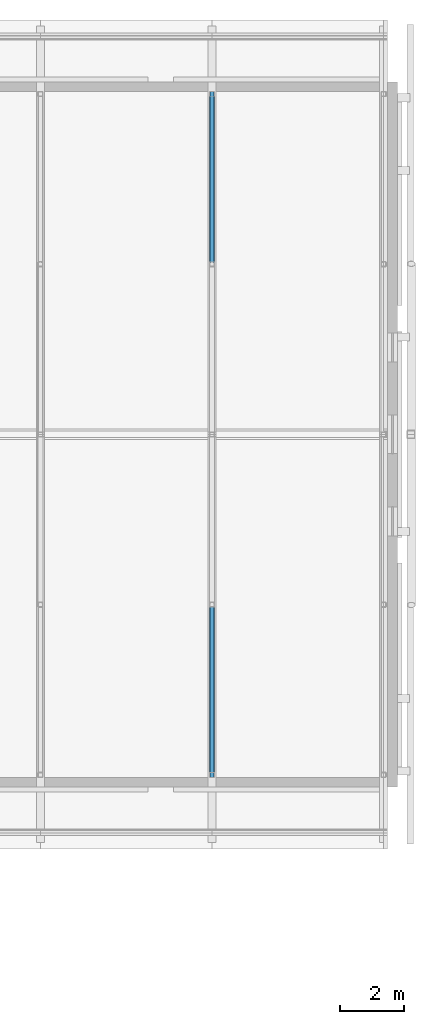
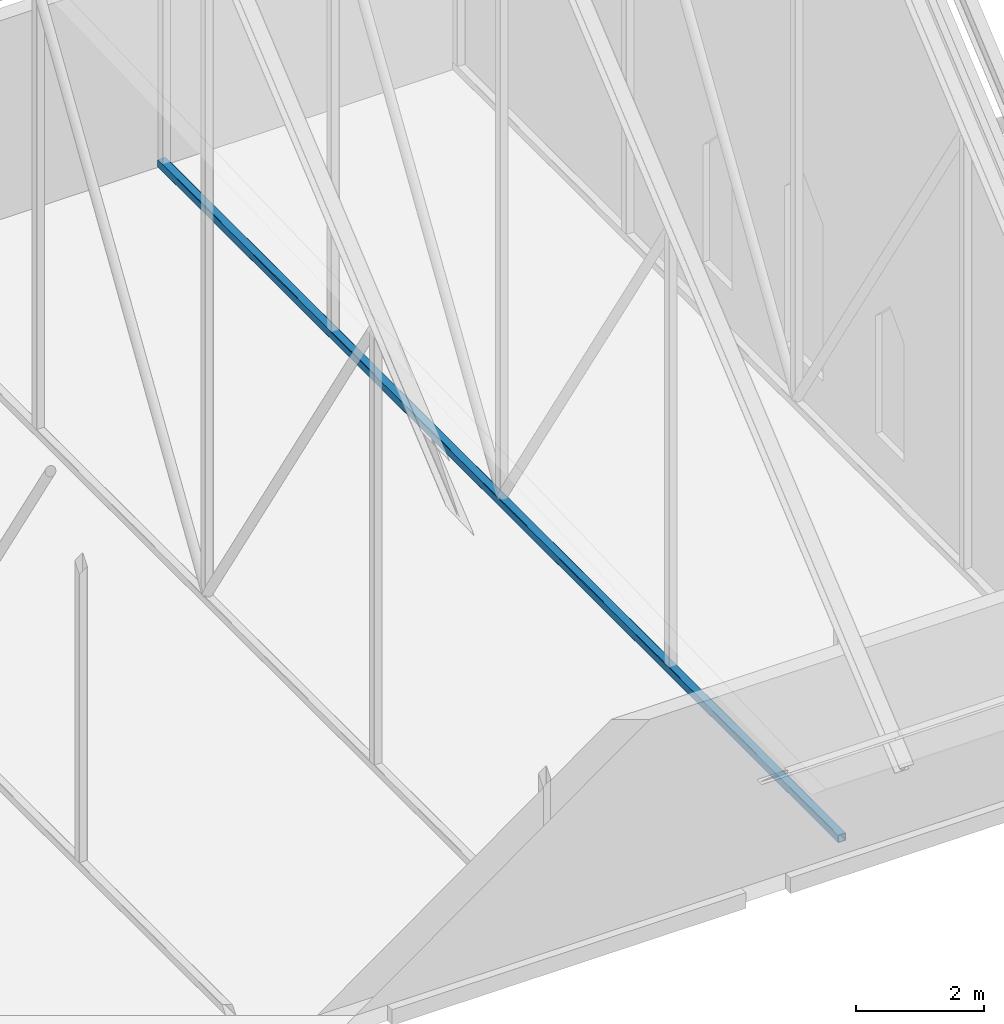
# One storey, part 12 of 29: 1 member.
"""IFC4 building model written with IfcOpenShell, lengths in metres."""

from ifc_helpers import new_model, si_unit, direction, frame, origin, origin_2d, place, context, subcontext, project, spatial, hollow_rectangle, extrude, material, material_profile, profile_set, type_object, element, save


model = new_model("IFC4")

# Units and contexts
model_context = context("Model", 3, precision=1e-05, world=origin(), true_north=direction((0.0, 1.0)))
body_context = subcontext(model_context, "Body", "Model", "MODEL_VIEW")
ifc_project = project(units=[si_unit("LENGTHUNIT", "METRE"), si_unit("AREAUNIT", "SQUARE_METRE"), si_unit("VOLUMEUNIT", "CUBIC_METRE"), si_unit("PLANEANGLEUNIT", "RADIAN"), si_unit("MASSUNIT", "GRAM", prefix="KILO")], contexts=[model_context])

# Site, building, storey
site_placement = place(None, origin())
site = spatial("IfcSite", under=ifc_project, at=site_placement, CompositionType="ELEMENT")
building_placement = place(site_placement, origin())
building = spatial("IfcBuilding", under=site, at=building_placement, Name="Silangan Lancet Faculty of Sciences", CompositionType="ELEMENT")
storey_placement = place(building_placement, frame((0.0, 0.0, 54.300048828125)))
storey = spatial("IfcBuildingStorey", under=building, at=storey_placement, Name="L11", CompositionType="ELEMENT", Elevation=54.300048828125)

# Member
ifc_material = material(Name="Steel STKR400", Category="steel")
ifc_material_profile = material_profile(ifc_material, hollow_rectangle(XDim=0.14990234375, YDim=0.14990234375, WallThickness=0.009033203125, InnerFilletRadius=0.009033203125, OuterFilletRadius=0.01806640625, at=origin_2d()), Name="SHS 150x150x9.0")
ifc_profile_set = profile_set([ifc_material_profile], Name="Steel STKR400")
member_type = type_object("IfcMemberType", Name="Truss bottom chord SHS 150x150x9.0", PredefinedType="CHORD", material=ifc_profile_set)
member_placement = place(storey_placement, frame((23.19384765625, 36.14990234375, 0.074951171875), z_axis=(0.0, 1.0, 0.0), x_axis=(-1.0, 0.0, 0.0)))
element("IfcMember", 1, at=member_placement, inside=storey, type_object=member_type, Name="Gable truss 4 tie", PredefinedType="CHORD", context=body_context, shape_type="SweptSolid", body=[
    extrude(hollow_rectangle(XDim=0.14990234375, YDim=0.14990234375, WallThickness=0.009033203125, InnerFilletRadius=0.009033203125, OuterFilletRadius=0.01806640625, at=origin_2d()), origin(), (0.0, 0.0, 1.0), 21.300048828125),
])

save(model, "model.ifc")
